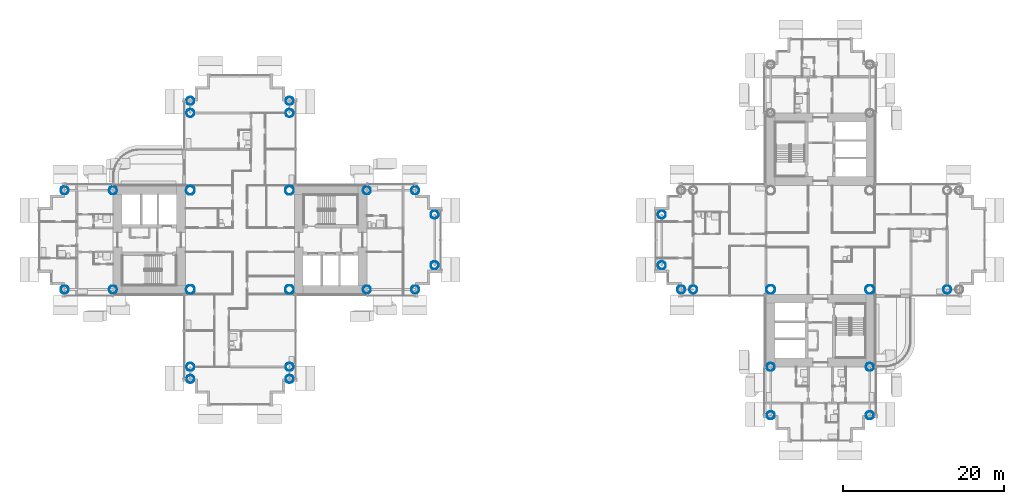
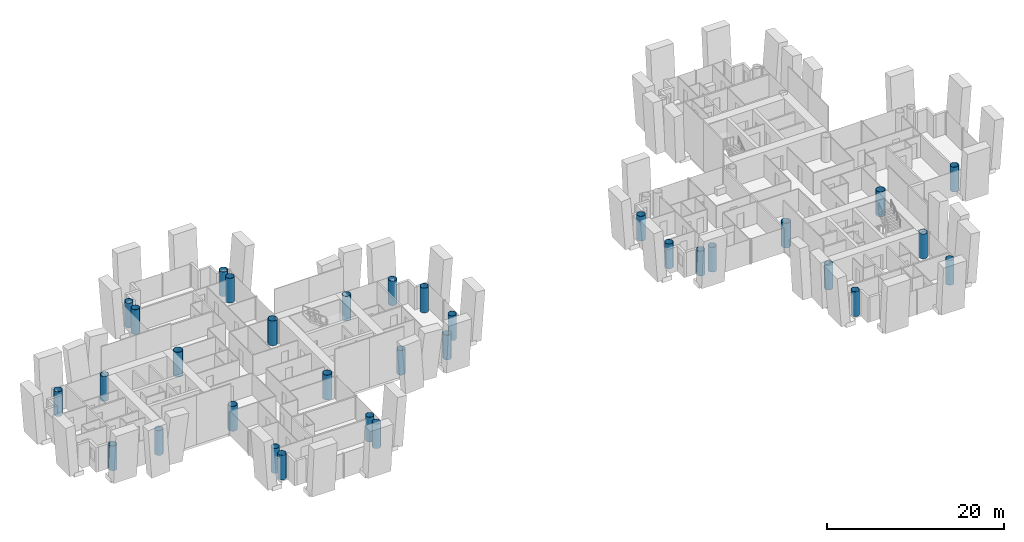
# One storey, part 1 of 25: 33 columns.
"""IFC4 building model written with IfcOpenShell, lengths in metres."""

from ifc_helpers import new_model, si_unit, direction, frame, origin, origin_2d, place, context, subcontext, project, spatial, hollow_circle, extrude, material, material_profile, profile_set, type_object, element, save


model = new_model("IFC4")

# Units and contexts
model_context = context("Model", 3, precision=1e-05, world=origin(), true_north=direction((0.0, 1.0)))
body_context = subcontext(model_context, "Body", "Model", "MODEL_VIEW")
ifc_project = project(units=[si_unit("LENGTHUNIT", "METRE"), si_unit("AREAUNIT", "SQUARE_METRE"), si_unit("VOLUMEUNIT", "CUBIC_METRE"), si_unit("PLANEANGLEUNIT", "RADIAN"), si_unit("MASSUNIT", "GRAM", prefix="KILO")], contexts=[model_context])

# Site, building, storey
site_placement = place(None, origin())
site = spatial("IfcSite", under=ifc_project, at=site_placement, CompositionType="ELEMENT")
building_placement = place(site_placement, origin())
building = spatial("IfcBuilding", under=site, at=building_placement, Name="Ipe Terrace Towers", CompositionType="ELEMENT")
storey_placement = place(building_placement, frame((0.0, 0.0, 58.5)))
storey = spatial("IfcBuildingStorey", under=building, at=storey_placement, Name="L15", CompositionType="ELEMENT", Elevation=58.5)

# Columns
ifc_material_1 = material(Name="Steel S355 tube with Concrete C60/75 fill", Category="concrete")
ifc_material_profile_1 = material_profile(ifc_material_1, hollow_circle(Radius=0.5, WallThickness=0.035888671875, at=origin_2d()), Name="CHS-1000x36")
ifc_profile_set_1 = profile_set([ifc_material_profile_1], Name="Steel S355 tube with Concrete C60/75 fill")
column_type_1 = type_object("IfcColumnType", Name="CH01 COLUMN CHS-1000x36", PredefinedType="COLUMN", material=ifc_profile_set_1)
for number, where, z_axis, x_axis, name in (
    (1, (-20.25, -6.14990234375, 0.0), (0.0, 0.0, 1.0), (1.0, 0.0, 0.0), "Column T1-C-A01"),
    (2, (-20.25, 6.14990234375, 0.0), (0.0, 0.0, 1.0), (1.0, 0.0, 0.0), "Column T1-C-A02"),
    (3, (-14.25, -6.14990234375, 0.0), (0.0, 0.0, 1.0), (1.0, 0.0, 0.0), "Column T1-C-A03"),
    (4, (-14.25, 6.14990234375, 0.0), (0.0, 0.0, 1.0), (1.0, 0.0, 0.0), "Column T1-C-A04"),
    (5, (-11.85009765625, -3.14990234375, 0.0), (0.0, 0.0, 1.0), (1.0, 0.0, 0.0), "Column T1-C-A05"),
    (6, (-11.85009765625, 3.14990234375, 0.0), (0.0, 0.0, 1.0), (1.0, 0.0, 0.0), "Column T1-C-A06"),
    (7, (-29.85009765625, 15.75, 0.0), (0.0, 0.0, 1.0), (1.0, 0.0, 0.0), "Column T1-C-B03"),
    (8, (-42.14990234375, 15.75, 0.0), (0.0, 0.0, 1.0), (1.0, 0.0, 0.0), "Column T1-C-B04"),
    (9, (-29.85009765625, 17.25, 0.0), (0.0, 0.0, 1.0), (1.0, 0.0, 0.0), "Column T1-C-B05"),
    (10, (-42.14990234375, 17.25, 0.0), (0.0, 0.0, 1.0), (1.0, 0.0, 0.0), "Column T1-C-B06"),
    (11, (-51.75, -6.14990234375, 0.0), (0.0, 0.0, 1.0), (1.0, 0.0, 0.0), "Column T1-C-C01"),
    (12, (-51.75, 6.14990234375, 0.0), (0.0, 0.0, 1.0), (1.0, 0.0, 0.0), "Column T1-C-C02"),
    (13, (-57.75, -6.14990234375, 0.0), (0.0, 0.0, 1.0), (1.0, 0.0, 0.0), "Column T1-C-C03"),
    (14, (-57.75, 6.14990234375, 0.0), (0.0, 0.0, 1.0), (1.0, 0.0, 0.0), "Column T1-C-C04"),
    (15, (-42.14990234375, -15.75, 0.0), (0.0, 0.0, 1.0), (1.0, 0.0, 0.0), "Column T1-C-D03"),
    (16, (-29.85009765625, -15.75, 0.0), (0.0, 0.0, 1.0), (1.0, 0.0, 0.0), "Column T1-C-D04"),
    (17, (-42.14990234375, -17.25, 0.0), (0.0, 0.0, 1.0), (1.0, 0.0, 0.0), "Column T1-C-D05"),
    (18, (-29.85009765625, -17.25, 0.0), (0.0, 0.0, 1.0), (1.0, 0.0, 0.0), "Column T1-C-D06"),
    (19, (20.25, -6.14990234375, 0.0), (0.0, 0.0, 1.0), (1.0, 0.0, 0.0), "Column T2-C-B04"),
    (20, (18.75, -6.14990234375, 0.0), (0.0, 0.0, 1.0), (1.0, 0.0, 0.0), "Column T2-C-B06"),
    (21, (16.35009765625, 3.14990234375, 0.0), (0.0, 0.0, 1.0), (1.0, 0.0, 0.0), "Column T2-C-B07"),
    (22, (16.35009765625, -3.14990234375, 0.0), (0.0, 0.0, 1.0), (1.0, 0.0, 0.0), "Column T2-C-B08"),
    (23, (42.14990234375, -15.75, 0.0), (0.0, 0.0, 1.0), (1.0, 0.0, 0.0), "Column T2-C-C01"),
    (24, (29.85009765625, -15.75, 0.0), (0.0, 0.0, 1.0), (1.0, 0.0, 0.0), "Column T2-C-C02"),
    (25, (42.14990234375, -21.75, 0.0), (0.0, 0.0, 1.0), (1.0, 0.0, 0.0), "Column T2-C-C03"),
    (26, (29.85009765625, -21.75, 0.0), (0.0, 0.0, 1.0), (1.0, 0.0, 0.0), "Column T2-C-C04"),
    (27, (51.75, -6.14990234375, 0.0), (0.0, 0.0, 1.0), (1.0, 0.0, 0.0), "Column T2-C-D03"),
):
    element("IfcColumn", number, at=place(storey_placement, frame(where, z_axis=z_axis, x_axis=x_axis)), inside=storey, type_object=column_type_1, Name=name, PredefinedType="COLUMN", context=body_context, shape_type="SweptSolid", body=[
        extrude(hollow_circle(Radius=0.5, WallThickness=0.035888671875, at=origin_2d()), origin(), (0.0, 0.0, 1.0), 3.39990234375),
    ])
ifc_material_2 = material(Name="Steel S355 tube with Concrete C60/75 fill", Category="concrete")
ifc_material_profile_2 = material_profile(ifc_material_2, hollow_circle(Radius=0.550048828125, WallThickness=0.0400390625, at=origin_2d()), Name="CHS-1100x40")
ifc_profile_set_2 = profile_set([ifc_material_profile_2], Name="Steel S355 tube with Concrete C60/75 fill")
column_type_2 = type_object("IfcColumnType", Name="CH02 COLUMN CHS-1100x40", PredefinedType="COLUMN", material=ifc_profile_set_2)
for number, where, z_axis, x_axis, name in (
    (28, (-42.14990234375, -6.14990234375, 0.0), (0.0, 0.0, 1.0), (1.0, 0.0, 0.0), "Column T1-C-E01"),
    (29, (-29.85009765625, -6.14990234375, 0.0), (0.0, 0.0, 1.0), (1.0, 0.0, 0.0), "Column T1-C-E02"),
    (30, (-29.85009765625, 6.14990234375, 0.0), (0.0, 0.0, 1.0), (1.0, 0.0, 0.0), "Column T1-C-E03"),
    (31, (-42.14990234375, 6.14990234375, 0.0), (0.0, 0.0, 1.0), (1.0, 0.0, 0.0), "Column T1-C-E04"),
    (32, (42.14990234375, -6.14990234375, 0.0), (0.0, 0.0, 1.0), (1.0, 0.0, 0.0), "Column T2-C-E01"),
    (33, (29.85009765625, -6.14990234375, 0.0), (0.0, 0.0, 1.0), (1.0, 0.0, 0.0), "Column T2-C-E04"),
):
    element("IfcColumn", number, at=place(storey_placement, frame(where, z_axis=z_axis, x_axis=x_axis)), inside=storey, type_object=column_type_2, Name=name, PredefinedType="COLUMN", context=body_context, shape_type="SweptSolid", body=[
        extrude(hollow_circle(Radius=0.550048828125, WallThickness=0.0400390625, at=origin_2d()), origin(), (0.0, 0.0, 1.0), 3.39990234375),
    ])

save(model, "model.ifc")
